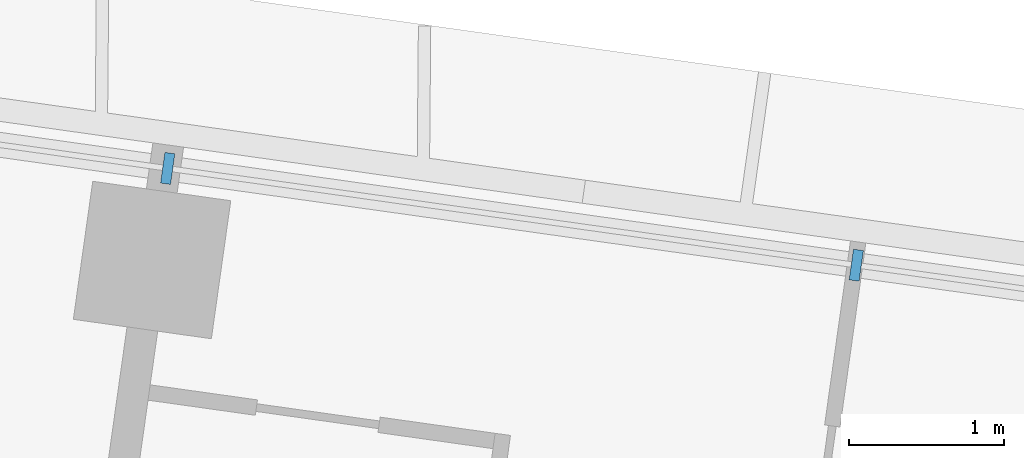
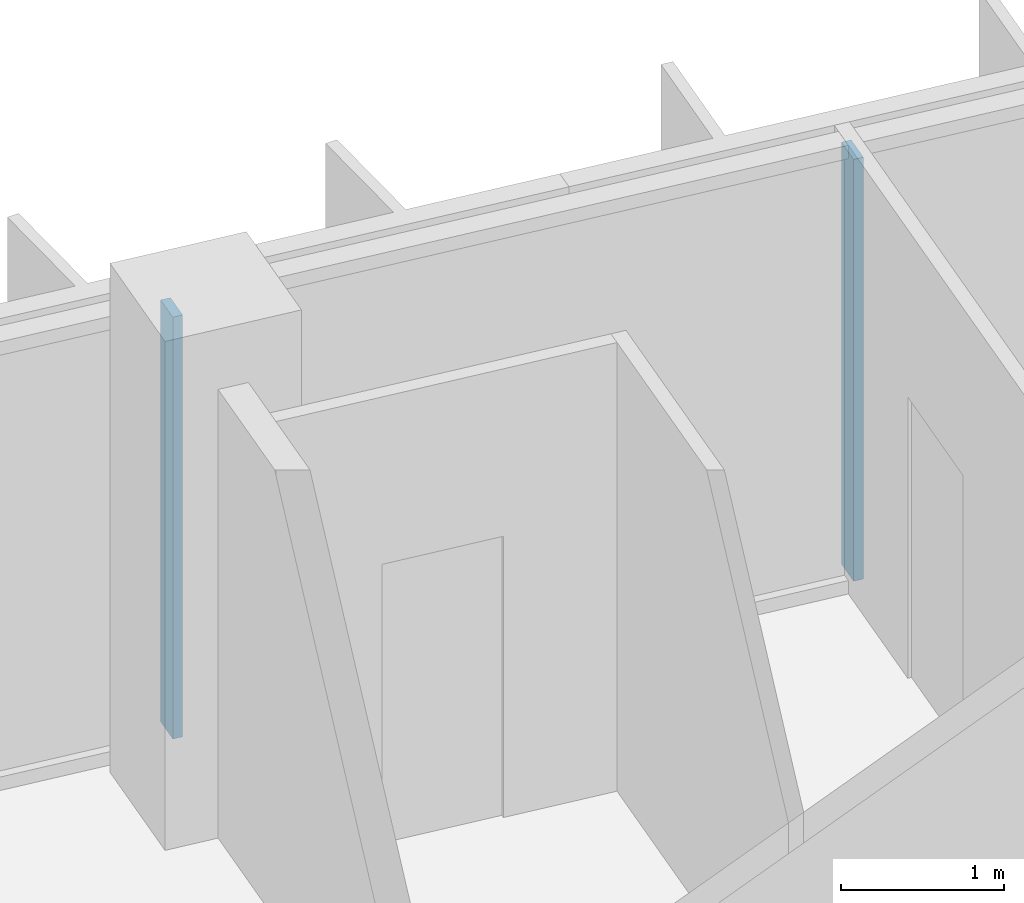
# One storey, part 3 of 26: 2 members, 1 element without a shape of its own.
"""IFC4 building model written with IfcOpenShell, lengths in metres."""

from ifc_helpers import new_model, si_unit, direction, frame, origin, origin_2d, place, context, subcontext, project, spatial, rectangle, extrude, material, material_profile, profile_set, type_object, element, aggregate, save


model = new_model("IFC4")

# Units and contexts
model_context = context("Model", 3, precision=1e-05, world=origin(), true_north=direction((0.0, 1.0)))
body_context = subcontext(model_context, "Body", "Model", "MODEL_VIEW")
ifc_project = project(units=[si_unit("LENGTHUNIT", "METRE"), si_unit("AREAUNIT", "SQUARE_METRE"), si_unit("VOLUMEUNIT", "CUBIC_METRE"), si_unit("PLANEANGLEUNIT", "RADIAN"), si_unit("MASSUNIT", "GRAM", prefix="KILO")], contexts=[model_context])

# Site, building, storey
site_placement = place(None, origin())
site = spatial("IfcSite", under=ifc_project, at=site_placement, CompositionType="ELEMENT")
building_placement = place(site_placement, origin())
building = spatial("IfcBuilding", under=site, at=building_placement, Name="Mirante Cascada Hotel Towers", CompositionType="ELEMENT")
storey_placement = place(building_placement, frame((0.0, 0.0, 106.3)))
storey = spatial("IfcBuildingStorey", under=building, at=storey_placement, Name="L23", CompositionType="ELEMENT", Elevation=106.3)

# Curtain wall, members
ifc_material_1 = material(Name="Aluminium mullion and transom frame with clear laminated glass", Category="aluminium")
curtain_wall_type = type_object("IfcCurtainWallType", Name="Ribbon curtain wall ECW1", PredefinedType="NOTDEFINED", material=ifc_material_1)
curtain_wall_placement = place(storey_placement, origin())
curtain_wall = element("IfcCurtainWall", 1, at=curtain_wall_placement, inside=storey, type_object=curtain_wall_type, Name="Front ribbon wall T1 L23", PredefinedType="NOTDEFINED")
ifc_material_2 = material(Name="Anodised aluminium extrusion", Category="aluminium")
ifc_material_profile = material_profile(ifc_material_2, rectangle(XDim=0.2, YDim=0.065, at=origin_2d()), Name="ECW1 MULLION 65x200")
ifc_profile_set = profile_set([ifc_material_profile], Name="Anodised aluminium extrusion")
member_type = type_object("IfcMemberType", Name="ECW1 mullion 65x200", PredefinedType="MULLION", material=ifc_profile_set)
member_1_placement = place(storey_placement, frame((-71.9211, 22.9269, 0.1), z_axis=(0.0, 0.0, 1.0), x_axis=(0.1391731, 0.9902681, 0.0)))
member_1 = element("IfcMember", 2, at=member_1_placement, type_object=member_type, Name="ECW1 mullion 6", PredefinedType="MULLION", context=body_context, shape_type="SweptSolid", body=[
    extrude(rectangle(XDim=0.2, YDim=0.065, at=origin_2d()), origin(), (0.0, 0.0, 1.0), 3.15),
])
member_2_placement = place(storey_placement, frame((-67.4737, 22.3018, 0.1), z_axis=(0.0, 0.0, 1.0), x_axis=(0.1391731, 0.9902681, 0.0)))
member_2 = element("IfcMember", 3, at=member_2_placement, type_object=member_type, Name="ECW1 mullion 7", PredefinedType="MULLION", context=body_context, shape_type="SweptSolid", body=[
    extrude(rectangle(XDim=0.2, YDim=0.065, at=origin_2d()), origin(), (0.0, 0.0, 1.0), 3.15),
])
aggregate(curtain_wall, [member_1, member_2])

save(model, "model.ifc")
